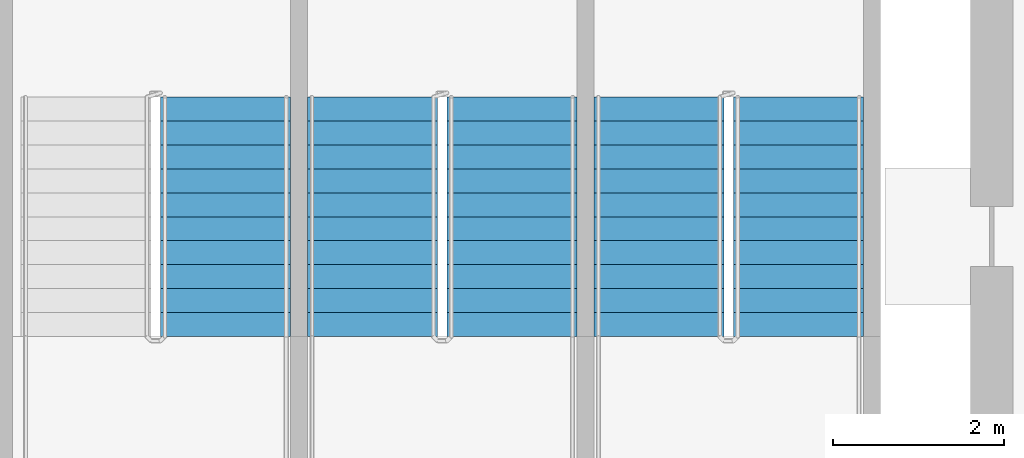
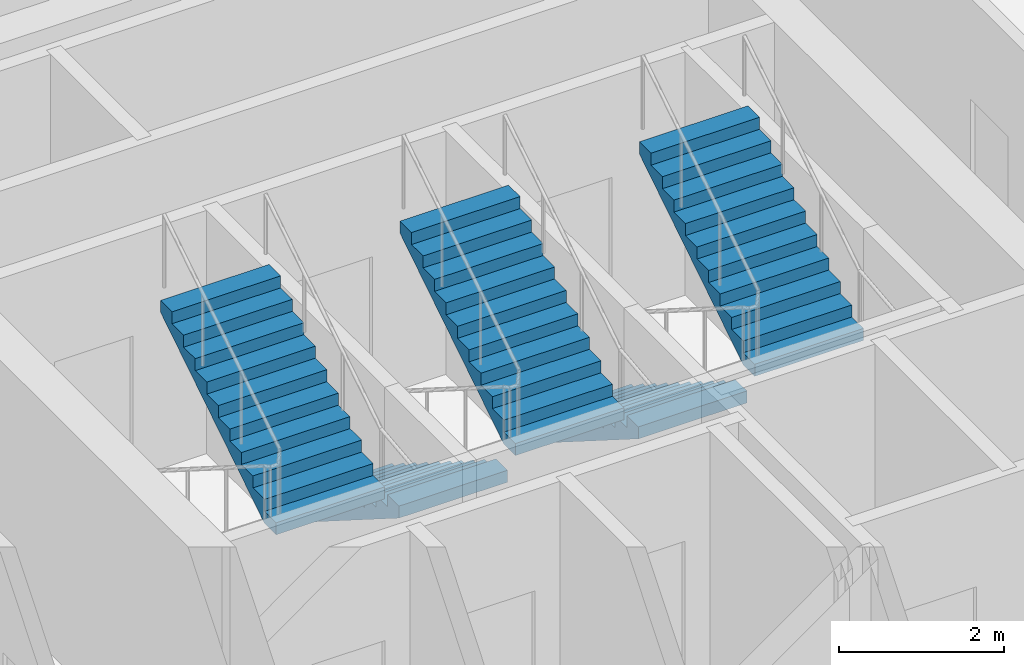
# One storey, part 11 of 18: 5 stair flights, 3 elements without a shape of their own.
"""IFC4 building model written with IfcOpenShell, lengths in metres."""

import ifcopenshell
import ifcopenshell.guid

model = None  # the IFC model being written
_history = None  # IfcOwnerHistory: only IFC2X3 demands one
_inside = {}  # id of a spatial element -> (the spatial element, [elements in it])
_under = {}  # id of a project, library or spatial element -> (it, [spatial elements below it])
_declared = {}  # id of a project -> (the project, [libraries it declares])
_typed = {}  # id of a type object -> (the type object, [elements of that type])
_made_of = {}  # id of a material, layer set ... -> (it, [elements and type objects made of it])


def new_model(schema):
    """Start an empty IFC model of exactly this schema.

    Asked for "IFC4X3", IfcOpenShell would pick the latest addendum, in which some entities
    have other attributes; the version numbers below select the first issue.
    IFC2X3 requires an IfcOwnerHistory on every rooted entity: one is made here for all.
    """
    global model, _history
    if schema == "IFC4X3":
        model = ifcopenshell.file(schema_version=(4, 3, 0, 0))
    else:
        model = ifcopenshell.file(schema=schema)
    _inside.clear()
    _under.clear()
    _declared.clear()
    _typed.clear()
    _made_of.clear()
    _history = None
    if model.schema == "IFC2X3":
        org = make("IfcOrganization", Name="unknown")
        user = make(
            "IfcPersonAndOrganization",
            ThePerson=make("IfcPerson", FamilyName="unknown"),
            TheOrganization=org,
        )
        app = make(
            "IfcApplication",
            ApplicationDeveloper=org,
            Version="unknown",
            ApplicationFullName="unknown",
            ApplicationIdentifier="unknown",
        )
        _history = make(
            "IfcOwnerHistory",
            OwningUser=user,
            OwningApplication=app,
            ChangeAction="ADDED",
            CreationDate=0,
        )
    return model


def make(cls, **values):
    """One entity of the class cls with the attributes given. An attribute that is None is left unset."""
    return model.create_entity(
        cls, **{name: value for name, value in values.items() if value is not None}
    )


def rooted(cls, **values):
    """An entity with a GlobalId (a new one), such as an element, a storey or a relation."""
    return make(cls, GlobalId=ifcopenshell.guid.new(), OwnerHistory=_history, **values)


def si_unit(unit_type, name, prefix=None):
    """IfcSIUnit, for example si_unit("LENGTHUNIT", "METRE", prefix="MILLI")."""
    return make("IfcSIUnit", UnitType=unit_type, Prefix=prefix, Name=name)


def assignment(units):
    """IfcUnitAssignment: the units of a project."""
    return None if units is None else make("IfcUnitAssignment", Units=units)


def point(xyz):
    """IfcCartesianPoint."""
    return None if xyz is None else make("IfcCartesianPoint", Coordinates=xyz)


def direction(xyz):
    """IfcDirection."""
    return None if xyz is None else make("IfcDirection", DirectionRatios=xyz)


def frame(location, z_axis=None, x_axis=None):
    """IfcAxis2Placement3D, a coordinate frame: its origin and axes. An axis left out is left unset."""
    return make(
        "IfcAxis2Placement3D",
        Location=point(location),
        Axis=direction(z_axis),
        RefDirection=direction(x_axis),
    )


def origin():
    """The frame at (0, 0, 0) with its axes left unset."""
    return frame((0.0, 0.0, 0.0))


def place(relative_to, where):
    """IfcLocalPlacement: puts the frame where relative to a parent placement (None: the world)."""
    return make(
        "IfcLocalPlacement", PlacementRelTo=relative_to, RelativePlacement=where
    )


def context(
    kind, dimensions, precision=None, world=None, true_north=None, identifier=None
):
    """IfcGeometricRepresentationContext, for example the 3D "Model" context."""
    return make(
        "IfcGeometricRepresentationContext",
        ContextIdentifier=identifier,
        ContextType=kind,
        CoordinateSpaceDimension=dimensions,
        Precision=precision,
        WorldCoordinateSystem=world,
        TrueNorth=true_north,
    )


def subcontext(parent, identifier, kind, view, scale=None):
    """IfcGeometricRepresentationSubContext, for example "Body" below "Model"."""
    return make(
        "IfcGeometricRepresentationSubContext",
        ContextIdentifier=identifier,
        ContextType=kind,
        ParentContext=parent,
        TargetScale=scale,
        TargetView=view,
    )


def project(units=None, contexts=None):
    """IfcProject with its units and contexts."""
    return rooted(
        "IfcProject",
        Name="project",
        RepresentationContexts=contexts,
        UnitsInContext=assignment(units),
    )


def spatial(cls, under=None, at=None, **own):
    """A site, building, storey or space (cls), placed at a placement, below another one or the project."""
    s = rooted(cls, ObjectPlacement=at, **own)
    if under is not None:
        _under.setdefault(under.id(), (under, []))[1].append(s)
    return s


def polyline(points):
    """IfcPolyline through the points."""
    return make("IfcPolyline", Points=[point(p) for p in points])


def outline(outer, holes=None, kind="AREA"):
    """IfcArbitraryClosedProfileDef: a profile drawn as a closed curve; with holes, ...WithVoids."""
    if holes is None:
        return make("IfcArbitraryClosedProfileDef", ProfileType=kind, OuterCurve=outer)
    return make(
        "IfcArbitraryProfileDefWithVoids",
        ProfileType=kind,
        OuterCurve=outer,
        InnerCurves=holes,
    )


def extrude(swept, where, along, depth):
    """IfcExtrudedAreaSolid: the profile swept, set in the frame where, extruded along a direction by depth."""
    return make(
        "IfcExtrudedAreaSolid",
        SweptArea=swept,
        Position=where,
        ExtrudedDirection=direction(along),
        Depth=depth,
    )


def shape(context_of_items, identifier, shape_type, items):
    """IfcShapeRepresentation: the items that make up one representation, for example the "Body"."""
    return make(
        "IfcShapeRepresentation",
        ContextOfItems=context_of_items,
        RepresentationIdentifier=identifier,
        RepresentationType=shape_type,
        Items=items,
    )


def material(Name=None, Category=None):
    """IfcMaterial."""
    return make("IfcMaterial", Name=Name, Category=Category)


def made_of(thing, what):
    """Note that an element or type object is made of a material, layer set ...; save() writes the relation."""
    if what is not None:
        _made_of.setdefault(what.id(), (what, []))[1].append(thing)
    return thing


def type_object(cls, material=None, **own):
    """A type object (cls), such as IfcWallType, which elements share."""
    return made_of(rooted(cls, **own), material)


def element(
    cls,
    number,
    at=None,
    inside=None,
    cuts=None,
    type_object=None,
    material=None,
    context=None,
    identifier="Body",
    shape_type=None,
    held_by="IfcProductDefinitionShape",
    body=None,
    shapes=None,
    **own,
):
    """One element of the class cls, such as IfcWall. Its Tag is "e" and its number.

    at: its placement. inside: the storey or other place that contains it. cuts: it is an
    opening in that element (IfcRelVoidsElement). A single representation is given by context,
    identifier, shape_type and body (its items); several are given by shapes. held_by: the class
    of the entity that holds the representations. save() writes the other relations.
    """
    e = rooted(cls, Tag="e%d" % number, ObjectPlacement=at, **own)
    if body is not None:
        shapes = [shape(context, identifier, shape_type, body)]
    if shapes is not None:
        e.Representation = make(held_by, Representations=shapes)
    if inside is not None:
        _inside.setdefault(inside.id(), (inside, []))[1].append(e)
    if cuts is not None:
        rooted(
            "IfcRelVoidsElement", RelatingBuildingElement=cuts, RelatedOpeningElement=e
        )
    if type_object is not None:
        _typed.setdefault(type_object.id(), (type_object, []))[1].append(e)
    return made_of(e, material)


def aggregate(whole, parts):
    """IfcRelAggregates: a whole, such as a stair, and the parts it consists of."""
    return rooted("IfcRelAggregates", RelatingObject=whole, RelatedObjects=parts)


def save(model, path):
    """Write the relations noted so far, then the file.

    IfcRelAggregates (storeys below a building ...), IfcRelContainedInSpatialStructure (elements
    in a storey), IfcRelDefinesByType, IfcRelAssociatesMaterial and IfcRelDeclares: one each for
    every whole, place, type object, material and project.
    """
    for whole, parts in _under.values():
        aggregate(whole, parts)
    for where, things in _inside.values():
        rooted(
            "IfcRelContainedInSpatialStructure",
            RelatedElements=things,
            RelatingStructure=where,
        )
    for kind, things in _typed.values():
        rooted("IfcRelDefinesByType", RelatedObjects=things, RelatingType=kind)
    for what, things in _made_of.values():
        rooted("IfcRelAssociatesMaterial", RelatedObjects=things, RelatingMaterial=what)
    for by, libraries in _declared.values():
        rooted("IfcRelDeclares", RelatingContext=by, RelatedDefinitions=libraries)
    model.write(path)


model = new_model("IFC4")

# Units and contexts
model_context = context("Model", 3, precision=1e-05, world=origin(), true_north=direction((0.0, 1.0)))
body_context = subcontext(model_context, "Body", "Model", "MODEL_VIEW")
ifc_project = project(units=[si_unit("LENGTHUNIT", "METRE"), si_unit("AREAUNIT", "SQUARE_METRE"), si_unit("VOLUMEUNIT", "CUBIC_METRE"), si_unit("PLANEANGLEUNIT", "RADIAN"), si_unit("MASSUNIT", "GRAM", prefix="KILO")], contexts=[model_context])

# Site, building, storey
site_placement = place(None, origin())
site = spatial("IfcSite", under=ifc_project, at=site_placement, CompositionType="ELEMENT")
building_placement = place(site_placement, origin())
building = spatial("IfcBuilding", under=site, at=building_placement, Name="Tessera Arch", CompositionType="ELEMENT")
storey_placement = place(building_placement, frame((0.0, 0.0, 185.60009765625)))
storey = spatial("IfcBuildingStorey", under=building, at=storey_placement, Name="L44", CompositionType="ELEMENT", Elevation=185.60009765625)

# Stair, stair flight
ifc_material_1 = material(Name="Concrete C40/50", Category="concrete")
stair_type = type_object("IfcStairType", Name="Dogleg stair 1520", PredefinedType="HALF_TURN_STAIR", material=ifc_material_1)
stair_1_placement = place(storey_placement, origin())
stair_1 = element("IfcStair", 1, at=stair_1_placement, inside=storey, type_object=stair_type, Name="L44 S1a", PredefinedType="HALF_TURN_STAIR")
ifc_material_2 = material(Name="Concrete C40/50", Category="concrete")
stair_flight_type = type_object("IfcStairFlightType", Name="Stair flight 1520", PredefinedType="STRAIGHT", material=ifc_material_2)
stair_flight_1_placement = place(storey_placement, frame((39.090087890625, 40.780029296875, 1.949951171875), z_axis=(0.0, 0.0, 1.0), x_axis=(0.0, 1.0, 0.0)))
stair_flight_1 = element("IfcStairFlight", 2, at=stair_flight_1_placement, type_object=stair_flight_type, Name="S1a flight 2", NumberOfRisers=11, NumberOfTreads=10, PredefinedType="STRAIGHT", RiserHeight=0.177272727, TreadLength=0.28, context=body_context, shape_type="SweptSolid", body=[
    extrude(outline(polyline([(0.0, 0.0), (0.0, 0.17724609375), (0.280029296875, 0.17724609375), (0.280029296875, 0.3544921875), (0.56005859375, 0.3544921875), (0.56005859375, 0.53173828125), (0.840087890625, 0.53173828125), (0.840087890625, 0.708984375), (1.1201171875, 0.708984375), (1.1201171875, 0.886474609375), (1.39990234375, 0.886474609375), (1.39990234375, 1.063720703125), (1.679931640625, 1.063720703125), (1.679931640625, 1.240966796875), (1.9599609375, 1.240966796875), (1.9599609375, 1.418212890625), (2.239990234375, 1.418212890625), (2.239990234375, 1.595458984375), (2.52001953125, 1.595458984375), (2.52001953125, 1.772705078125), (2.800048828125, 1.772705078125), (2.800048828125, 1.949951171875), (2.800048828125, 1.59521484375), (0.2802734375, 0.0), (0.0, 0.0)])), frame((0.0, 0.760009765625, 0.0), z_axis=(0.0, -1.0, 0.0), x_axis=(1.0, 0.0, 0.0)), (0.0, 0.0, 1.0), 1.52001953125),
])
aggregate(stair_1, [stair_flight_1])

# Stair, stair flights
stair_2_placement = place(storey_placement, origin())
stair_2 = element("IfcStair", 3, at=stair_2_placement, inside=storey, type_object=stair_type, Name="L44 S1b", PredefinedType="HALF_TURN_STAIR")
stair_flight_2_placement = place(storey_placement, frame((40.81005859375, 43.580078125, 0.0), z_axis=(0.0, 0.0, 1.0), x_axis=(0.0, -1.0, 0.0)))
stair_flight_2 = element("IfcStairFlight", 4, at=stair_flight_2_placement, type_object=stair_flight_type, Name="S1b flight 1", NumberOfRisers=11, NumberOfTreads=10, PredefinedType="STRAIGHT", RiserHeight=0.177272727, TreadLength=0.28, context=body_context, shape_type="SweptSolid", body=[
    extrude(outline(polyline([(0.0, 0.0), (0.0, 0.17724609375), (0.280029296875, 0.17724609375), (0.280029296875, 0.3544921875), (0.56005859375, 0.3544921875), (0.56005859375, 0.53173828125), (0.840087890625, 0.53173828125), (0.840087890625, 0.708984375), (1.1201171875, 0.708984375), (1.1201171875, 0.886474609375), (1.39990234375, 0.886474609375), (1.39990234375, 1.063720703125), (1.679931640625, 1.063720703125), (1.679931640625, 1.240966796875), (1.9599609375, 1.240966796875), (1.9599609375, 1.418212890625), (2.239990234375, 1.418212890625), (2.239990234375, 1.595458984375), (2.52001953125, 1.595458984375), (2.52001953125, 1.772705078125), (2.800048828125, 1.772705078125), (2.800048828125, 1.949951171875), (2.800048828125, 1.59521484375), (0.2802734375, 0.0), (0.0, 0.0)])), frame((0.0, 0.760009765625, 0.0), z_axis=(0.0, -1.0, 0.0), x_axis=(1.0, 0.0, 0.0)), (0.0, 0.0, 1.0), 1.52001953125),
])
stair_flight_3_placement = place(storey_placement, frame((42.43994140625, 40.780029296875, 1.949951171875), z_axis=(0.0, 0.0, 1.0), x_axis=(0.0, 1.0, 0.0)))
stair_flight_3 = element("IfcStairFlight", 5, at=stair_flight_3_placement, type_object=stair_flight_type, Name="S1b flight 2", NumberOfRisers=11, NumberOfTreads=10, PredefinedType="STRAIGHT", RiserHeight=0.177272727, TreadLength=0.28, context=body_context, shape_type="SweptSolid", body=[
    extrude(outline(polyline([(0.0, 0.0), (0.0, 0.17724609375), (0.280029296875, 0.17724609375), (0.280029296875, 0.3544921875), (0.56005859375, 0.3544921875), (0.56005859375, 0.53173828125), (0.840087890625, 0.53173828125), (0.840087890625, 0.708984375), (1.1201171875, 0.708984375), (1.1201171875, 0.886474609375), (1.39990234375, 0.886474609375), (1.39990234375, 1.063720703125), (1.679931640625, 1.063720703125), (1.679931640625, 1.240966796875), (1.9599609375, 1.240966796875), (1.9599609375, 1.418212890625), (2.239990234375, 1.418212890625), (2.239990234375, 1.595458984375), (2.52001953125, 1.595458984375), (2.52001953125, 1.772705078125), (2.800048828125, 1.772705078125), (2.800048828125, 1.949951171875), (2.800048828125, 1.59521484375), (0.2802734375, 0.0), (0.0, 0.0)])), frame((0.0, 0.760009765625, 0.0), z_axis=(0.0, -1.0, 0.0), x_axis=(1.0, 0.0, 0.0)), (0.0, 0.0, 1.0), 1.52001953125),
])
aggregate(stair_2, [stair_flight_2, stair_flight_3])

stair_3_placement = place(storey_placement, origin())
stair_3 = element("IfcStair", 6, at=stair_3_placement, inside=storey, type_object=stair_type, Name="L44 S1c", PredefinedType="HALF_TURN_STAIR")
stair_flight_4_placement = place(storey_placement, frame((44.159912109375, 43.580078125, 0.0), z_axis=(0.0, 0.0, 1.0), x_axis=(0.0, -1.0, 0.0)))
stair_flight_4 = element("IfcStairFlight", 7, at=stair_flight_4_placement, type_object=stair_flight_type, Name="S1c flight 1", NumberOfRisers=11, NumberOfTreads=10, PredefinedType="STRAIGHT", RiserHeight=0.177272727, TreadLength=0.28, context=body_context, shape_type="SweptSolid", body=[
    extrude(outline(polyline([(0.0, 0.0), (0.0, 0.17724609375), (0.280029296875, 0.17724609375), (0.280029296875, 0.3544921875), (0.56005859375, 0.3544921875), (0.56005859375, 0.53173828125), (0.840087890625, 0.53173828125), (0.840087890625, 0.708984375), (1.1201171875, 0.708984375), (1.1201171875, 0.886474609375), (1.39990234375, 0.886474609375), (1.39990234375, 1.063720703125), (1.679931640625, 1.063720703125), (1.679931640625, 1.240966796875), (1.9599609375, 1.240966796875), (1.9599609375, 1.418212890625), (2.239990234375, 1.418212890625), (2.239990234375, 1.595458984375), (2.52001953125, 1.595458984375), (2.52001953125, 1.772705078125), (2.800048828125, 1.772705078125), (2.800048828125, 1.949951171875), (2.800048828125, 1.59521484375), (0.2802734375, 0.0), (0.0, 0.0)])), frame((0.0, 0.760009765625, 0.0), z_axis=(0.0, -1.0, 0.0), x_axis=(1.0, 0.0, 0.0)), (0.0, 0.0, 1.0), 1.52001953125),
])
stair_flight_5_placement = place(storey_placement, frame((45.7900390625, 40.780029296875, 1.949951171875), z_axis=(0.0, 0.0, 1.0), x_axis=(0.0, 1.0, 0.0)))
stair_flight_5 = element("IfcStairFlight", 8, at=stair_flight_5_placement, type_object=stair_flight_type, Name="S1c flight 2", NumberOfRisers=11, NumberOfTreads=10, PredefinedType="STRAIGHT", RiserHeight=0.177272727, TreadLength=0.28, context=body_context, shape_type="SweptSolid", body=[
    extrude(outline(polyline([(0.0, 0.0), (0.0, 0.17724609375), (0.280029296875, 0.17724609375), (0.280029296875, 0.3544921875), (0.56005859375, 0.3544921875), (0.56005859375, 0.53173828125), (0.840087890625, 0.53173828125), (0.840087890625, 0.708984375), (1.1201171875, 0.708984375), (1.1201171875, 0.886474609375), (1.39990234375, 0.886474609375), (1.39990234375, 1.063720703125), (1.679931640625, 1.063720703125), (1.679931640625, 1.240966796875), (1.9599609375, 1.240966796875), (1.9599609375, 1.418212890625), (2.239990234375, 1.418212890625), (2.239990234375, 1.595458984375), (2.52001953125, 1.595458984375), (2.52001953125, 1.772705078125), (2.800048828125, 1.772705078125), (2.800048828125, 1.949951171875), (2.800048828125, 1.59521484375), (0.2802734375, 0.0), (0.0, 0.0)])), frame((0.0, 0.760009765625, 0.0), z_axis=(0.0, -1.0, 0.0), x_axis=(1.0, 0.0, 0.0)), (0.0, 0.0, 1.0), 1.52001953125),
])
aggregate(stair_3, [stair_flight_4, stair_flight_5])

save(model, "model.ifc")
